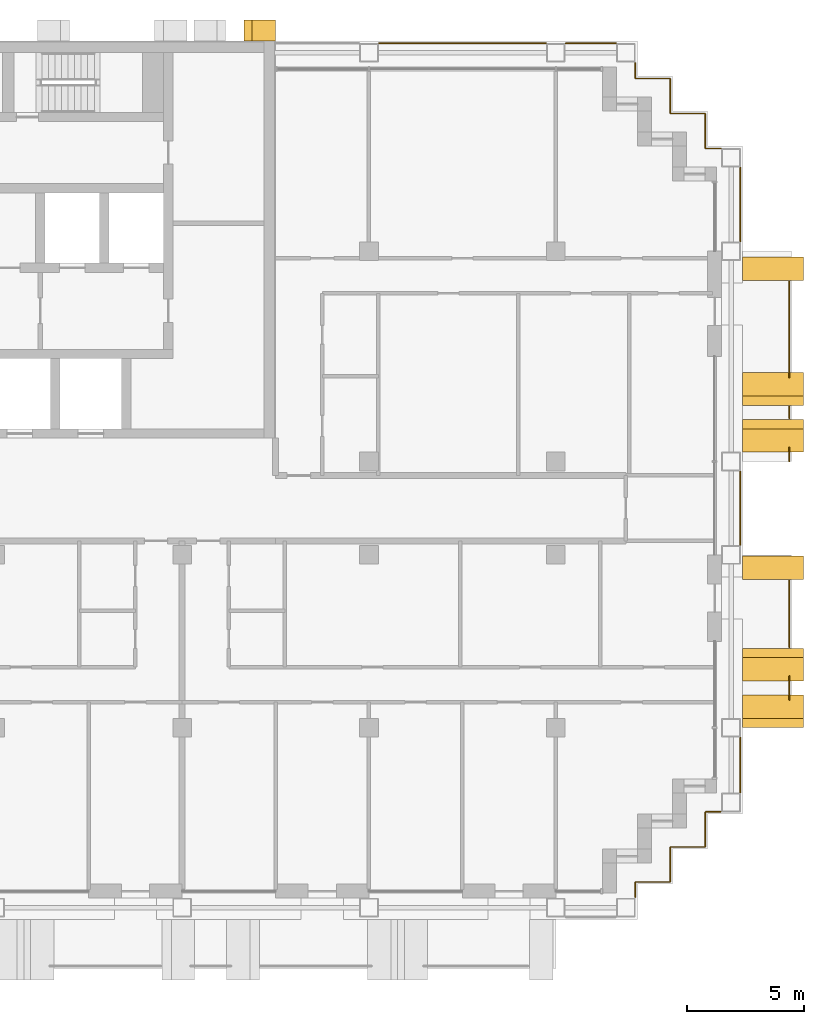
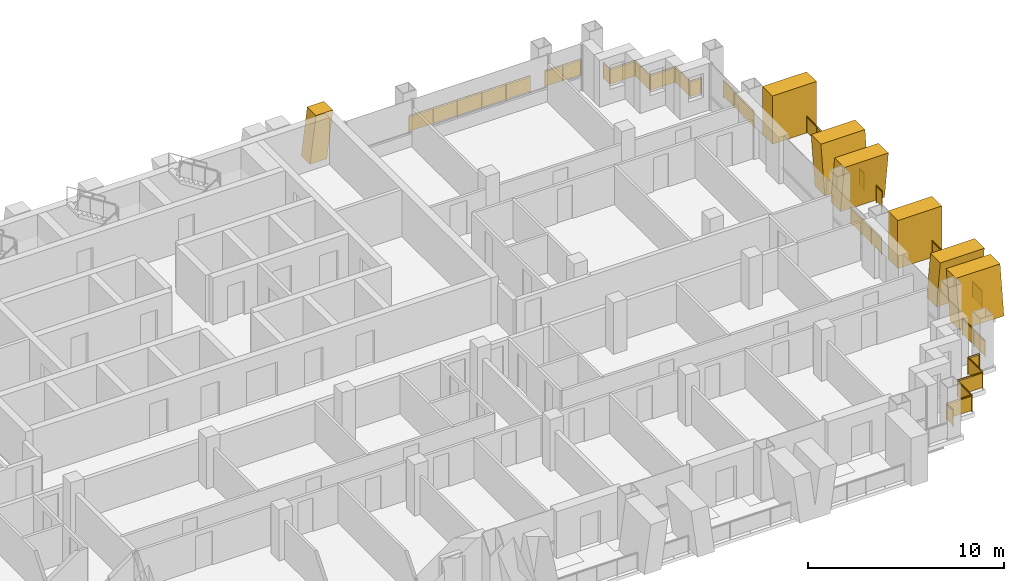
# One storey, part 17 of 17: 12 railings, 7 shading devices.
"""IFC4 building model written with IfcOpenShell, lengths in metres."""

from ifc_helpers import new_model, si_unit, direction, frame, origin, origin_2d, place, context, subcontext, project, spatial, polyline, rectangle, circle, outline, extrude, material, layer, layer_set, type_object, element, save


model = new_model("IFC4")

# Units and contexts
model_context = context("Model", 3, precision=1e-05, world=origin(), true_north=direction((0.0, 1.0)))
body_context = subcontext(model_context, "Body", "Model", "MODEL_VIEW")
ifc_project = project(units=[si_unit("LENGTHUNIT", "METRE"), si_unit("AREAUNIT", "SQUARE_METRE"), si_unit("VOLUMEUNIT", "CUBIC_METRE"), si_unit("PLANEANGLEUNIT", "RADIAN"), si_unit("MASSUNIT", "GRAM", prefix="KILO")], contexts=[model_context])

# Site, building, storey
site_placement = place(None, origin())
site = spatial("IfcSite", under=ifc_project, at=site_placement, CompositionType="ELEMENT")
building_placement = place(site_placement, origin())
building = spatial("IfcBuilding", under=site, at=building_placement, Name="Vidyagriha Tower", CompositionType="ELEMENT")
storey_placement = place(building_placement, frame((0.0, 0.0, 139.0)))
storey = spatial("IfcBuildingStorey", under=building, at=storey_placement, Name="L36", CompositionType="ELEMENT", Elevation=139.0)

# Railings
ifc_material_1 = material(Name="Steel ASTM A500 Grade C black painted", Category="steel")
railing_type_1 = type_object("IfcRailingType", Name="Balcony guard 1100", PredefinedType="BALUSTRADE", material=ifc_material_1)
railing_1_placement = place(storey_placement, frame((36.0, -8.19677734375, 0.0)))
element("IfcRailing", 1, at=railing_1_placement, inside=storey, type_object=railing_type_1, Name="Balcony guard L36 R30.1-1", PredefinedType="BALUSTRADE", context=body_context, shape_type="SweptSolid", body=[
    extrude(circle(Radius=0.02490234375, at=origin_2d()), frame((0.0, 0.0, 1.0751953125), z_axis=(0.0, 1.0, 0.0), x_axis=(-1.0, 0.0, 0.0)), (0.0, 0.0, 1.0), 0.993408203125),
    extrude(circle(Radius=0.02001953125, at=origin_2d()), origin(), (0.0, 0.0, 1.0), 1.050048828125),
    extrude(circle(Radius=0.02001953125, at=origin_2d()), frame((0.0, 0.993408203125, 0.0)), (0.0, 0.0, 1.0), 1.050048828125),
    extrude(rectangle(XDim=0.010009765625, YDim=0.900146484375, at=origin_2d()), frame((0.0, 0.0, 0.550048828125), z_axis=(0.0, 1.0, 0.0), x_axis=(-1.0, 0.0, 0.0)), (0.0, 0.0, 1.0), 0.993408203125),
])
railing_2_placement = place(storey_placement, frame((36.0, -5.949951171875, 0.0)))
element("IfcRailing", 2, at=railing_2_placement, inside=storey, type_object=railing_type_1, Name="Balcony guard L36 R30.1-2", PredefinedType="BALUSTRADE", context=body_context, shape_type="SweptSolid", body=[
    extrude(circle(Radius=0.02490234375, at=origin_2d()), frame((0.0, 0.0, 1.0751953125), z_axis=(0.0, 1.0, 0.0), x_axis=(-1.0, 0.0, 0.0)), (0.0, 0.0, 1.0), 2.849853515625),
    extrude(circle(Radius=0.02001953125, at=origin_2d()), origin(), (0.0, 0.0, 1.0), 1.050048828125),
    extrude(circle(Radius=0.02001953125, at=origin_2d()), frame((0.0, 0.949951171875, 0.0)), (0.0, 0.0, 1.0), 1.050048828125),
    extrude(circle(Radius=0.02001953125, at=origin_2d()), frame((0.0, 1.89990234375, 0.0)), (0.0, 0.0, 1.0), 1.050048828125),
    extrude(circle(Radius=0.02001953125, at=origin_2d()), frame((0.0, 2.849853515625, 0.0)), (0.0, 0.0, 1.0), 1.050048828125),
    extrude(rectangle(XDim=0.010009765625, YDim=0.900146484375, at=origin_2d()), frame((0.0, 0.0, 0.550048828125), z_axis=(0.0, 1.0, 0.0), x_axis=(-1.0, 0.0, 0.0)), (0.0, 0.0, 1.0), 2.849853515625),
])
railing_3_placement = place(storey_placement, frame((36.0, 2.0, 0.0)))
element("IfcRailing", 3, at=railing_3_placement, inside=storey, type_object=railing_type_1, Name="Balcony guard L36 R30.2-1", PredefinedType="BALUSTRADE", context=body_context, shape_type="SweptSolid", body=[
    extrude(circle(Radius=0.02490234375, at=origin_2d()), frame((0.0, 0.0, 1.0751953125), z_axis=(0.0, 1.0, 0.0), x_axis=(-1.0, 0.0, 0.0)), (0.0, 0.0, 1.0), 0.5966796875),
    extrude(circle(Radius=0.02001953125, at=origin_2d()), origin(), (0.0, 0.0, 1.0), 1.050048828125),
    extrude(circle(Radius=0.02001953125, at=origin_2d()), frame((0.0, 0.5966796875, 0.0)), (0.0, 0.0, 1.0), 1.050048828125),
    extrude(rectangle(XDim=0.010009765625, YDim=0.900146484375, at=origin_2d()), frame((0.0, 0.0, 0.550048828125), z_axis=(0.0, 1.0, 0.0), x_axis=(-1.0, 0.0, 0.0)), (0.0, 0.0, 1.0), 0.5966796875),
])
railing_4_placement = place(storey_placement, frame((36.0, 3.85009765625, 0.0)))
element("IfcRailing", 4, at=railing_4_placement, inside=storey, type_object=railing_type_1, Name="Balcony guard L36 R30.2-2", PredefinedType="BALUSTRADE", context=body_context, shape_type="SweptSolid", body=[
    extrude(circle(Radius=0.02490234375, at=origin_2d()), frame((0.0, 0.0, 1.0751953125), z_axis=(0.0, 1.0, 0.0), x_axis=(-1.0, 0.0, 0.0)), (0.0, 0.0, 1.0), 0.5),
    extrude(circle(Radius=0.02001953125, at=origin_2d()), origin(), (0.0, 0.0, 1.0), 1.050048828125),
    extrude(circle(Radius=0.02001953125, at=origin_2d()), frame((0.0, 0.5, 0.0)), (0.0, 0.0, 1.0), 1.050048828125),
    extrude(rectangle(XDim=0.010009765625, YDim=0.900146484375, at=origin_2d()), frame((0.0, 0.0, 0.550048828125), z_axis=(0.0, 1.0, 0.0), x_axis=(-1.0, 0.0, 0.0)), (0.0, 0.0, 1.0), 0.5),
])
railing_5_placement = place(storey_placement, frame((36.0, 5.603271484375, 0.0)))
element("IfcRailing", 5, at=railing_5_placement, inside=storey, type_object=railing_type_1, Name="Balcony guard L36 R30.2-3", PredefinedType="BALUSTRADE", context=body_context, shape_type="SweptSolid", body=[
    extrude(circle(Radius=0.02490234375, at=origin_2d()), frame((0.0, 0.0, 1.0751953125), z_axis=(0.0, 1.0, 0.0), x_axis=(-1.0, 0.0, 0.0)), (0.0, 0.0, 1.0), 4.0966796875),
    extrude(circle(Radius=0.02001953125, at=origin_2d()), origin(), (0.0, 0.0, 1.0), 1.050048828125),
    extrude(circle(Radius=0.02001953125, at=origin_2d()), frame((0.0, 1.024169921875, 0.0)), (0.0, 0.0, 1.0), 1.050048828125),
    extrude(circle(Radius=0.02001953125, at=origin_2d()), frame((0.0, 2.04833984375, 0.0)), (0.0, 0.0, 1.0), 1.050048828125),
    extrude(circle(Radius=0.02001953125, at=origin_2d()), frame((0.0, 3.072509765625, 0.0)), (0.0, 0.0, 1.0), 1.050048828125),
    extrude(circle(Radius=0.02001953125, at=origin_2d()), frame((0.0, 4.0966796875, 0.0)), (0.0, 0.0, 1.0), 1.050048828125),
    extrude(rectangle(XDim=0.010009765625, YDim=0.900146484375, at=origin_2d()), frame((0.0, 0.0, 0.550048828125), z_axis=(0.0, 1.0, 0.0), x_axis=(-1.0, 0.0, 0.0)), (0.0, 0.0, 1.0), 4.0966796875),
])

# Shading devices
ifc_material_2 = material(Name="Precast concrete C40/50 with buff brick facing", Category="concrete")
ifc_layer_1 = layer(ifc_material_2, 1.0)
ifc_layer_set_1 = layer_set([ifc_layer_1], Name="Precast concrete C40/50 with buff brick facing")
shading_device_type_1 = type_object("IfcShadingDeviceType", Name="Brick-faced blade fin arm leaning 8 degrees", PredefinedType="USERDEFINED", material=ifc_layer_set_1)
shading_device_1_placement = place(storey_placement, frame((35.300048828125, -7.39990234375, 0.0), z_axis=(0.0, 0.0, 1.0), x_axis=(0.0, 1.0, 0.0)))
element("IfcShadingDevice", 6, at=shading_device_1_placement, inside=storey, type_object=shading_device_type_1, Name="Leaning blade fin L36 R30.220a", ObjectType="BLADE FIN", PredefinedType="USERDEFINED", context=body_context, shape_type="SweptSolid", body=[
    extrude(outline(polyline([(0.39990234375, 0.0), (1.39990234375, 0.0), (1.0, 3.0), (0.0, 3.0), (0.39990234375, 0.0)])), frame((0.0, 1.300048828125, 0.0), z_axis=(0.0, -1.0, 0.0), x_axis=(1.0, 0.0, 0.0)), (0.0, 0.0, 1.0), 2.60009765625),
])
for number, where, z_axis, x_axis, name in (
    (7, (35.300048828125, -9.39990234375, 0.0), (0.0, 0.0, 1.0), (0.0, 1.0, 0.0), "Leaning blade fin L36 R30.220b"),
    (8, (35.300048828125, 4.39990234375, 0.0), (0.0, 0.0, 1.0), (0.0, 1.0, 0.0), "Leaning blade fin L36 R30.1360a"),
):
    element("IfcShadingDevice", number, at=place(storey_placement, frame(where, z_axis=z_axis, x_axis=x_axis)), inside=storey, type_object=shading_device_type_1, Name=name, ObjectType="BLADE FIN", PredefinedType="USERDEFINED", context=body_context, shape_type="SweptSolid", body=[
        extrude(outline(polyline([(0.0, 0.0), (1.0, 0.0), (1.39990234375, 3.0), (0.39990234375, 3.0), (0.0, 0.0)])), frame((0.0, 1.300048828125, 0.0), z_axis=(0.0, -1.0, 0.0), x_axis=(1.0, 0.0, 0.0)), (0.0, 0.0, 1.0), 2.60009765625),
    ])
shading_device_2_placement = place(storey_placement, frame((35.300048828125, 2.39990234375, 0.0), z_axis=(0.0, 0.0, 1.0), x_axis=(0.0, 1.0, 0.0)))
element("IfcShadingDevice", 9, at=shading_device_2_placement, inside=storey, type_object=shading_device_type_1, Name="Leaning blade fin L36 R30.1360b", ObjectType="BLADE FIN", PredefinedType="USERDEFINED", context=body_context, shape_type="SweptSolid", body=[
    extrude(outline(polyline([(0.39990234375, 0.0), (1.39990234375, 0.0), (1.0, 3.0), (0.0, 3.0), (0.39990234375, 0.0)])), frame((0.0, 1.300048828125, 0.0), z_axis=(0.0, -1.0, 0.0), x_axis=(1.0, 0.0, 0.0)), (0.0, 0.0, 1.0), 2.60009765625),
])
ifc_material_3 = material(Name="Precast concrete C40/50 with buff brick facing", Category="concrete")
ifc_layer_2 = layer(ifc_material_3, 1.0)
ifc_layer_set_2 = layer_set([ifc_layer_2], Name="Precast concrete C40/50 with buff brick facing")
shading_device_type_2 = type_object("IfcShadingDeviceType", Name="Brick-faced blade fin stem 1000", PredefinedType="USERDEFINED", material=ifc_layer_set_2)
for number, where, z_axis, x_axis, name in (
    (10, (35.300048828125, -3.050048828125, 0.0), (0.0, 0.0, 1.0), (0.0, 1.0, 0.0), "Stem blade fin L36 R30.960a"),
    (11, (35.300048828125, 9.75, 0.0), (0.0, 0.0, 1.0), (0.0, 1.0, 0.0), "Stem blade fin L36 R30.2260a"),
):
    element("IfcShadingDevice", number, at=place(storey_placement, frame(where, z_axis=z_axis, x_axis=x_axis)), inside=storey, type_object=shading_device_type_2, Name=name, ObjectType="BLADE FIN", PredefinedType="USERDEFINED", context=body_context, shape_type="SweptSolid", body=[
        extrude(outline(polyline([(0.0, 0.0), (1.0, 0.0), (1.0, 3.0), (0.0, 3.0), (0.0, 0.0)])), frame((0.0, 1.300048828125, 0.0), z_axis=(0.0, -1.0, 0.0), x_axis=(1.0, 0.0, 0.0)), (0.0, 0.0, 1.0), 2.60009765625),
    ])
ifc_material_4 = material(Name="Precast concrete C40/50 with brick facing", Category="concrete")
ifc_layer_3 = layer(ifc_material_4, 1.0)
ifc_layer_set_3 = layer_set([ifc_layer_3], Name="Precast concrete C40/50 with brick facing")
shading_device_type_3 = type_object("IfcShadingDeviceType", Name="Brick-faced rear rib arm leaning 8 degrees", PredefinedType="USERDEFINED", material=ifc_layer_set_3)
shading_device_3_placement = place(storey_placement, frame((14.0, 20.449951171875, 0.0), z_axis=(0.0, 0.0, 1.0), x_axis=(-1.0, 0.0, 0.0)))
element("IfcShadingDevice", 12, at=shading_device_3_placement, inside=storey, type_object=shading_device_type_3, Name="Rear rib arm L36 R08.1b", ObjectType="BLADE FIN", PredefinedType="USERDEFINED", context=body_context, shape_type="SweptSolid", body=[
    extrude(outline(polyline([(0.357177734375, 0.0), (1.357177734375, 0.0), (1.0, 2.919921875), (0.0, 2.919921875), (0.357177734375, 0.0)])), frame((0.0, 0.449951171875, 0.0), z_axis=(0.0, -1.0, 0.0), x_axis=(1.0, 0.0, 0.0)), (0.0, 0.0, 1.0), 0.89990234375),
])

# Railings
ifc_material_5 = material(Name="Steel ASTM A500 Grade C black painted", Category="steel")
railing_type_2 = type_object("IfcRailingType", Name="Gallery guard 1100", PredefinedType="GUARDRAIL", material=ifc_material_5)
railing_6_placement = place(storey_placement, frame((18.429931640625, 19.89990234375, 0.0)))
element("IfcRailing", 13, at=railing_6_placement, inside=storey, type_object=railing_type_2, Name="Gallery guard L36 10", PredefinedType="GUARDRAIL", context=body_context, shape_type="SweptSolid", body=[
    extrude(circle(Radius=0.02490234375, at=origin_2d()), frame((0.0, 0.0, 1.0751953125), z_axis=(1.0, 0.0, 0.0), x_axis=(0.0, 1.0, 0.0)), (0.0, 0.0, 1.0), 7.14013671875),
    extrude(circle(Radius=0.02001953125, at=origin_2d()), origin(), (0.0, 0.0, 1.0), 1.050048828125),
    extrude(circle(Radius=0.02001953125, at=origin_2d()), frame((1.427978515625, 0.0, 0.0)), (0.0, 0.0, 1.0), 1.050048828125),
    extrude(circle(Radius=0.02001953125, at=origin_2d()), frame((2.85595703125, 0.0, 0.0)), (0.0, 0.0, 1.0), 1.050048828125),
    extrude(circle(Radius=0.02001953125, at=origin_2d()), frame((4.2841796875, 0.0, 0.0)), (0.0, 0.0, 1.0), 1.050048828125),
    extrude(circle(Radius=0.02001953125, at=origin_2d()), frame((5.712158203125, 0.0, 0.0)), (0.0, 0.0, 1.0), 1.050048828125),
    extrude(circle(Radius=0.02001953125, at=origin_2d()), frame((7.14013671875, 0.0, 0.0)), (0.0, 0.0, 1.0), 1.050048828125),
    extrude(rectangle(XDim=0.010009765625, YDim=0.900146484375, at=origin_2d()), frame((0.0, 0.0, 0.550048828125), z_axis=(1.0, 0.0, 0.0), x_axis=(0.0, 1.0, 0.0)), (0.0, 0.0, 1.0), 7.14013671875),
])
railing_7_placement = place(storey_placement, frame((26.429931640625, 19.89990234375, 0.0)))
element("IfcRailing", 14, at=railing_7_placement, inside=storey, type_object=railing_type_2, Name="Gallery guard L36 12", PredefinedType="GUARDRAIL", context=body_context, shape_type="SweptSolid", body=[
    extrude(circle(Radius=0.02490234375, at=origin_2d()), frame((0.0, 0.0, 1.0751953125), z_axis=(1.0, 0.0, 0.0), x_axis=(0.0, 1.0, 0.0)), (0.0, 0.0, 1.0), 2.14013671875),
    extrude(circle(Radius=0.02001953125, at=origin_2d()), origin(), (0.0, 0.0, 1.0), 1.050048828125),
    extrude(circle(Radius=0.02001953125, at=origin_2d()), frame((1.070068359375, 0.0, 0.0)), (0.0, 0.0, 1.0), 1.050048828125),
    extrude(circle(Radius=0.02001953125, at=origin_2d()), frame((2.14013671875, 0.0, 0.0)), (0.0, 0.0, 1.0), 1.050048828125),
    extrude(rectangle(XDim=0.010009765625, YDim=0.900146484375, at=origin_2d()), frame((0.0, 0.0, 0.550048828125), z_axis=(1.0, 0.0, 0.0), x_axis=(0.0, 1.0, 0.0)), (0.0, 0.0, 1.0), 2.14013671875),
])
railing_8_placement = place(storey_placement, frame((33.070068359375, -13.0, 0.0)))
element("IfcRailing", 15, at=railing_8_placement, inside=storey, type_object=railing_type_2, Name="Gallery guard L36 13", PredefinedType="GUARDRAIL", context=body_context, shape_type="SweptSolid", body=[
    extrude(circle(Radius=0.02490234375, at=origin_2d()), frame((0.0, 0.0, 1.0751953125), z_axis=(-1.0, 0.0, 0.0), x_axis=(0.0, -1.0, 0.0)), (0.0, 0.0, 1.0), 0.670166015625),
    extrude(circle(Radius=0.02490234375, at=origin_2d()), frame((-0.670166015625, 0.0, 1.0751953125), z_axis=(0.0, -1.0, 0.0), x_axis=(1.0, 0.0, 0.0)), (0.0, 0.0, 1.0), 1.5),
    extrude(circle(Radius=0.02490234375, at=origin_2d()), frame((-0.670166015625, -1.5, 1.0751953125), z_axis=(-1.0, 0.0, 0.0), x_axis=(0.0, -1.0, 0.0)), (0.0, 0.0, 1.0), 1.5),
    extrude(circle(Radius=0.02490234375, at=origin_2d()), frame((-2.170166015625, -1.5, 1.0751953125), z_axis=(0.0, -1.0, 0.0), x_axis=(1.0, 0.0, 0.0)), (0.0, 0.0, 1.0), 1.5),
    extrude(circle(Radius=0.02490234375, at=origin_2d()), frame((-2.170166015625, -3.0, 1.0751953125), z_axis=(-1.0, 0.0, 0.0), x_axis=(0.0, -1.0, 0.0)), (0.0, 0.0, 1.0), 1.5),
    extrude(circle(Radius=0.02490234375, at=origin_2d()), frame((-3.670166015625, -3.0, 1.0751953125), z_axis=(0.0, -1.0, 0.0), x_axis=(1.0, 0.0, 0.0)), (0.0, 0.0, 1.0), 0.669921875),
    extrude(circle(Radius=0.02001953125, at=origin_2d()), origin(), (0.0, 0.0, 1.0), 1.050048828125),
    extrude(circle(Radius=0.02001953125, at=origin_2d()), frame((-0.670166015625, 0.0, 0.0)), (0.0, 0.0, 1.0), 1.050048828125),
    extrude(circle(Radius=0.02001953125, at=origin_2d()), frame((-0.670166015625, -1.5, 0.0)), (0.0, 0.0, 1.0), 1.050048828125),
    extrude(circle(Radius=0.02001953125, at=origin_2d()), frame((-2.170166015625, -1.5, 0.0)), (0.0, 0.0, 1.0), 1.050048828125),
    extrude(circle(Radius=0.02001953125, at=origin_2d()), frame((-2.170166015625, -3.0, 0.0)), (0.0, 0.0, 1.0), 1.050048828125),
    extrude(circle(Radius=0.02001953125, at=origin_2d()), frame((-3.670166015625, -3.0, 0.0)), (0.0, 0.0, 1.0), 1.050048828125),
    extrude(circle(Radius=0.02001953125, at=origin_2d()), frame((-3.670166015625, -3.669921875, 0.0)), (0.0, 0.0, 1.0), 1.050048828125),
    extrude(rectangle(XDim=0.010009765625, YDim=0.900146484375, at=origin_2d()), frame((0.0, 0.0, 0.550048828125), z_axis=(-1.0, 0.0, 0.0), x_axis=(0.0, -1.0, 0.0)), (0.0, 0.0, 1.0), 0.670166015625),
    extrude(rectangle(XDim=0.010009765625, YDim=0.900146484375, at=origin_2d()), frame((-0.670166015625, 0.0, 0.550048828125), z_axis=(0.0, -1.0, 0.0), x_axis=(1.0, 0.0, 0.0)), (0.0, 0.0, 1.0), 1.5),
    extrude(rectangle(XDim=0.010009765625, YDim=0.900146484375, at=origin_2d()), frame((-0.670166015625, -1.5, 0.550048828125), z_axis=(-1.0, 0.0, 0.0), x_axis=(0.0, -1.0, 0.0)), (0.0, 0.0, 1.0), 1.5),
    extrude(rectangle(XDim=0.010009765625, YDim=0.900146484375, at=origin_2d()), frame((-2.170166015625, -1.5, 0.550048828125), z_axis=(0.0, -1.0, 0.0), x_axis=(1.0, 0.0, 0.0)), (0.0, 0.0, 1.0), 1.5),
    extrude(rectangle(XDim=0.010009765625, YDim=0.900146484375, at=origin_2d()), frame((-2.170166015625, -3.0, 0.550048828125), z_axis=(-1.0, 0.0, 0.0), x_axis=(0.0, -1.0, 0.0)), (0.0, 0.0, 1.0), 1.5),
    extrude(rectangle(XDim=0.010009765625, YDim=0.900146484375, at=origin_2d()), frame((-3.670166015625, -3.0, 0.550048828125), z_axis=(0.0, -1.0, 0.0), x_axis=(1.0, 0.0, 0.0)), (0.0, 0.0, 1.0), 0.669921875),
])
railing_9_placement = place(storey_placement, frame((29.39990234375, 19.070068359375, 0.0)))
element("IfcRailing", 16, at=railing_9_placement, inside=storey, type_object=railing_type_2, Name="Gallery guard L36 14", PredefinedType="GUARDRAIL", context=body_context, shape_type="SweptSolid", body=[
    extrude(circle(Radius=0.02490234375, at=origin_2d()), frame((0.0, 0.0, 1.0751953125), z_axis=(0.0, -1.0, 0.0), x_axis=(1.0, 0.0, 0.0)), (0.0, 0.0, 1.0), 0.670166015625),
    extrude(circle(Radius=0.02490234375, at=origin_2d()), frame((0.0, -0.670166015625, 1.0751953125), z_axis=(1.0, 0.0, 0.0), x_axis=(0.0, 1.0, 0.0)), (0.0, 0.0, 1.0), 1.5),
    extrude(circle(Radius=0.02490234375, at=origin_2d()), frame((1.5, -0.670166015625, 1.0751953125), z_axis=(0.0, -1.0, 0.0), x_axis=(1.0, 0.0, 0.0)), (0.0, 0.0, 1.0), 1.5),
    extrude(circle(Radius=0.02490234375, at=origin_2d()), frame((1.5, -2.170166015625, 1.0751953125), z_axis=(1.0, 0.0, 0.0), x_axis=(0.0, 1.0, 0.0)), (0.0, 0.0, 1.0), 1.5),
    extrude(circle(Radius=0.02490234375, at=origin_2d()), frame((3.0, -2.170166015625, 1.0751953125), z_axis=(0.0, -1.0, 0.0), x_axis=(1.0, 0.0, 0.0)), (0.0, 0.0, 1.0), 1.5),
    extrude(circle(Radius=0.02490234375, at=origin_2d()), frame((3.0, -3.670166015625, 1.0751953125), z_axis=(1.0, 0.0, 0.0), x_axis=(0.0, 1.0, 0.0)), (0.0, 0.0, 1.0), 0.670166015625),
    extrude(circle(Radius=0.02001953125, at=origin_2d()), origin(), (0.0, 0.0, 1.0), 1.050048828125),
    extrude(circle(Radius=0.02001953125, at=origin_2d()), frame((0.0, -0.670166015625, 0.0)), (0.0, 0.0, 1.0), 1.050048828125),
    extrude(circle(Radius=0.02001953125, at=origin_2d()), frame((1.5, -0.670166015625, 0.0)), (0.0, 0.0, 1.0), 1.050048828125),
    extrude(circle(Radius=0.02001953125, at=origin_2d()), frame((1.5, -2.170166015625, 0.0)), (0.0, 0.0, 1.0), 1.050048828125),
    extrude(circle(Radius=0.02001953125, at=origin_2d()), frame((3.0, -2.170166015625, 0.0)), (0.0, 0.0, 1.0), 1.050048828125),
    extrude(circle(Radius=0.02001953125, at=origin_2d()), frame((3.0, -3.670166015625, 0.0)), (0.0, 0.0, 1.0), 1.050048828125),
    extrude(circle(Radius=0.02001953125, at=origin_2d()), frame((3.670166015625, -3.670166015625, 0.0)), (0.0, 0.0, 1.0), 1.050048828125),
    extrude(rectangle(XDim=0.010009765625, YDim=0.900146484375, at=origin_2d()), frame((0.0, 0.0, 0.550048828125), z_axis=(0.0, -1.0, 0.0), x_axis=(1.0, 0.0, 0.0)), (0.0, 0.0, 1.0), 0.670166015625),
    extrude(rectangle(XDim=0.010009765625, YDim=0.900146484375, at=origin_2d()), frame((0.0, -0.670166015625, 0.550048828125), z_axis=(1.0, 0.0, 0.0), x_axis=(0.0, 1.0, 0.0)), (0.0, 0.0, 1.0), 1.5),
    extrude(rectangle(XDim=0.010009765625, YDim=0.900146484375, at=origin_2d()), frame((1.5, -0.670166015625, 0.550048828125), z_axis=(0.0, -1.0, 0.0), x_axis=(1.0, 0.0, 0.0)), (0.0, 0.0, 1.0), 1.5),
    extrude(rectangle(XDim=0.010009765625, YDim=0.900146484375, at=origin_2d()), frame((1.5, -2.170166015625, 0.550048828125), z_axis=(1.0, 0.0, 0.0), x_axis=(0.0, 1.0, 0.0)), (0.0, 0.0, 1.0), 1.5),
    extrude(rectangle(XDim=0.010009765625, YDim=0.900146484375, at=origin_2d()), frame((3.0, -2.170166015625, 0.550048828125), z_axis=(0.0, -1.0, 0.0), x_axis=(1.0, 0.0, 0.0)), (0.0, 0.0, 1.0), 1.5),
    extrude(rectangle(XDim=0.010009765625, YDim=0.900146484375, at=origin_2d()), frame((3.0, -3.670166015625, 0.550048828125), z_axis=(1.0, 0.0, 0.0), x_axis=(0.0, 1.0, 0.0)), (0.0, 0.0, 1.0), 0.670166015625),
])
railing_10_placement = place(storey_placement, frame((33.89990234375, -9.830078125, 0.0)))
element("IfcRailing", 17, at=railing_10_placement, inside=storey, type_object=railing_type_2, Name="Gallery guard L36 15", PredefinedType="GUARDRAIL", context=body_context, shape_type="SweptSolid", body=[
    extrude(circle(Radius=0.02490234375, at=origin_2d()), frame((0.0, 0.0, 1.0751953125), z_axis=(0.0, -1.0, 0.0), x_axis=(1.0, 0.0, 0.0)), (0.0, 0.0, 1.0), 2.33984375),
    extrude(circle(Radius=0.02001953125, at=origin_2d()), origin(), (0.0, 0.0, 1.0), 1.050048828125),
    extrude(circle(Radius=0.02001953125, at=origin_2d()), frame((0.0, -1.169921875, 0.0)), (0.0, 0.0, 1.0), 1.050048828125),
    extrude(circle(Radius=0.02001953125, at=origin_2d()), frame((0.0, -2.33984375, 0.0)), (0.0, 0.0, 1.0), 1.050048828125),
    extrude(rectangle(XDim=0.010009765625, YDim=0.900146484375, at=origin_2d()), frame((0.0, 0.0, 0.550048828125), z_axis=(0.0, -1.0, 0.0), x_axis=(1.0, 0.0, 0.0)), (0.0, 0.0, 1.0), 2.33984375),
])
for number, where, name in (
    (18, (33.89990234375, 1.570068359375, 0.0), "Gallery guard L36 16"),
    (19, (33.89990234375, 14.570068359375, 0.0), "Gallery guard L36 17"),
):
    element("IfcRailing", number, at=place(storey_placement, frame(where)), inside=storey, type_object=railing_type_2, Name=name, PredefinedType="GUARDRAIL", context=body_context, shape_type="SweptSolid", body=[
        extrude(circle(Radius=0.02490234375, at=origin_2d()), frame((0.0, 0.0, 1.0751953125), z_axis=(0.0, -1.0, 0.0), x_axis=(1.0, 0.0, 0.0)), (0.0, 0.0, 1.0), 3.14013671875),
        extrude(circle(Radius=0.02001953125, at=origin_2d()), origin(), (0.0, 0.0, 1.0), 1.050048828125),
        extrude(circle(Radius=0.02001953125, at=origin_2d()), frame((0.0, -1.046630859375, 0.0)), (0.0, 0.0, 1.0), 1.050048828125),
        extrude(circle(Radius=0.02001953125, at=origin_2d()), frame((0.0, -2.093505859375, 0.0)), (0.0, 0.0, 1.0), 1.050048828125),
        extrude(circle(Radius=0.02001953125, at=origin_2d()), frame((0.0, -3.14013671875, 0.0)), (0.0, 0.0, 1.0), 1.050048828125),
        extrude(rectangle(XDim=0.010009765625, YDim=0.900146484375, at=origin_2d()), frame((0.0, 0.0, 0.550048828125), z_axis=(0.0, -1.0, 0.0), x_axis=(1.0, 0.0, 0.0)), (0.0, 0.0, 1.0), 3.14013671875),
    ])

save(model, "model.ifc")
